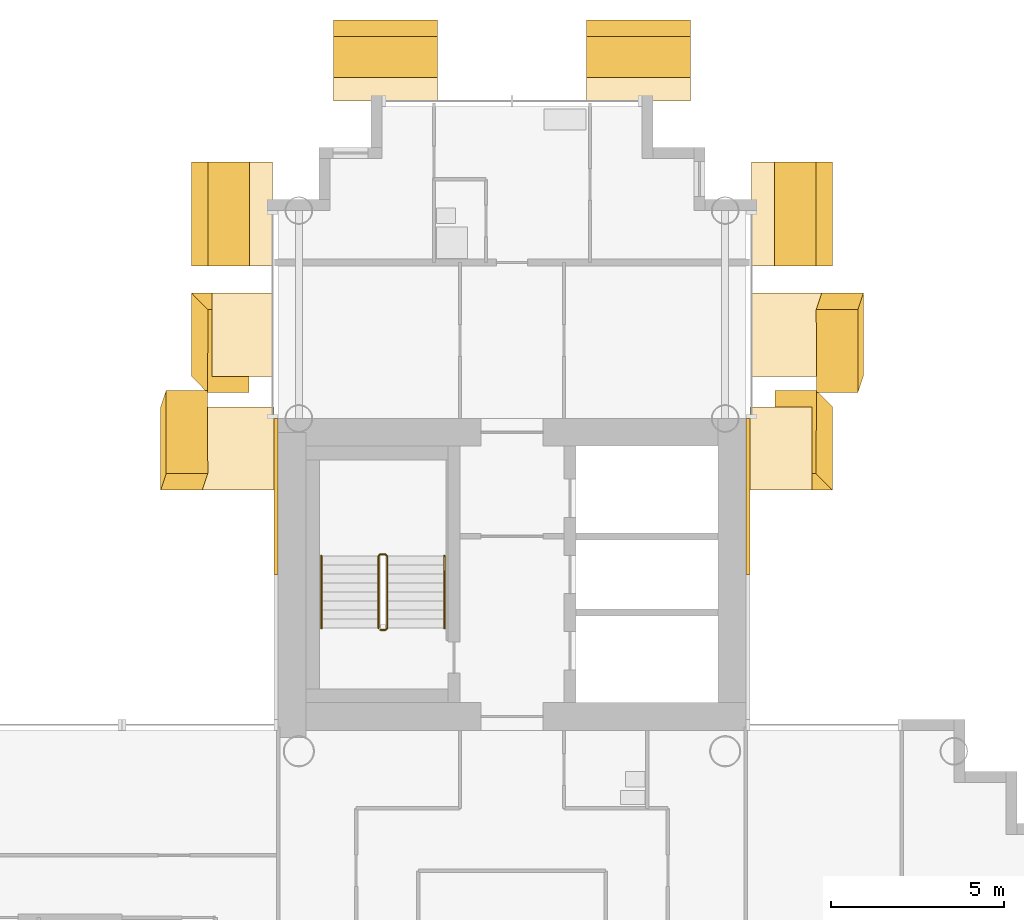
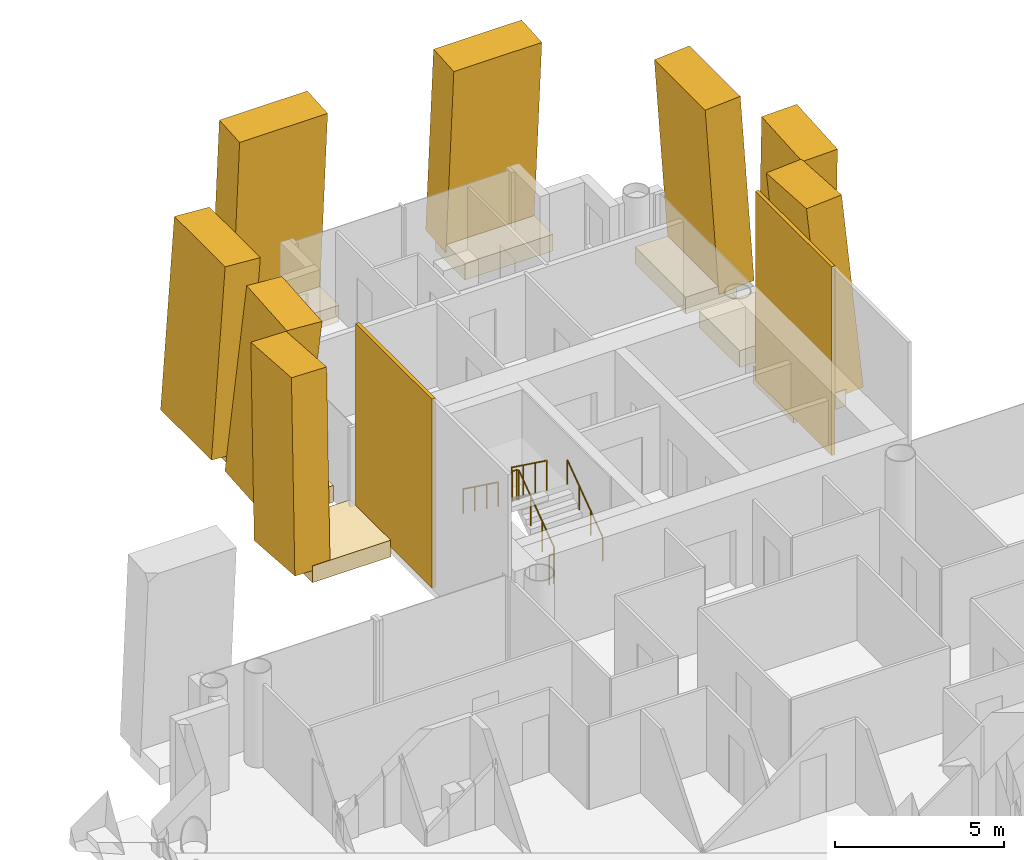
# One storey, part 18 of 19: 18 coverings, 3 railings.
"""IFC4 building model written with IfcOpenShell, lengths in metres."""

from ifc_helpers import new_model, si_unit, direction, frame, origin, origin_2d, place, context, subcontext, project, spatial, rectangle, circle, extrude, material, layer, layer_set, material_profile, profile_set, type_object, element, save


model = new_model("IFC4")

# Units and contexts
model_context = context("Model", 3, precision=1e-05, world=origin(), true_north=direction((0.0, 1.0)))
body_context = subcontext(model_context, "Body", "Model", "MODEL_VIEW")
ifc_project = project(units=[si_unit("LENGTHUNIT", "METRE"), si_unit("AREAUNIT", "SQUARE_METRE"), si_unit("VOLUMEUNIT", "CUBIC_METRE"), si_unit("PLANEANGLEUNIT", "RADIAN"), si_unit("MASSUNIT", "GRAM", prefix="KILO")], contexts=[model_context])

# Site, building, storey
site_placement = place(None, origin())
site = spatial("IfcSite", under=ifc_project, at=site_placement, CompositionType="ELEMENT")
building_placement = place(site_placement, origin())
building = spatial("IfcBuilding", under=site, at=building_placement, Name="Ipe Terrace Towers", CompositionType="ELEMENT")
storey_placement = place(building_placement, frame((0.0, 0.0, 137.10009765625)))
storey = spatial("IfcBuildingStorey", under=building, at=storey_placement, Name="L37", CompositionType="ELEMENT", Elevation=137.10009765625)

# Coverings
ifc_material_1 = material(Name="Concrete C50/60 precast, buff finish", Category="concrete")
ifc_layer = layer(ifc_material_1, 0.1201171875)
ifc_layer_set = layer_set([ifc_layer], Name="STONE CORE CLADDING 120")
covering_type_1 = type_object("IfcCoveringType", Name="STONE CORE CLADDING 120", PredefinedType="CLADDING", material=ifc_layer_set)
for number, where, z_axis, x_axis, name in (
    (1, (29.18994140625, 13.5, 0.0), (0.0, 0.0, 1.0), (0.0, -1.0, 0.0), "stone core cladding"),
    (2, (42.81005859375, 13.5, 0.0), (0.0, 0.0, 1.0), (0.0, 1.0, 0.0), "stone core cladding"),
):
    element("IfcCovering", number, at=place(storey_placement, frame(where, z_axis=z_axis, x_axis=x_axis)), inside=storey, type_object=covering_type_1, Name=name, PredefinedType="CLADDING", context=body_context, shape_type="SweptSolid", body=[
        extrude(rectangle(XDim=4.5009765625, YDim=0.1201171875, at=origin_2d()), origin(), (0.0, 0.0, 1.0), 6.800048828125),
    ])
ifc_material_2 = material(Name="Concrete C50/60 precast, buff finish", Category="concrete")
ifc_material_profile_1 = material_profile(ifc_material_2, rectangle(XDim=2.39990234375, YDim=1.199951171875, at=origin_2d()), Name="STONE FIN 2400 x 1200")
ifc_profile_set_1 = profile_set([ifc_material_profile_1], Name="Concrete C50/60 precast, buff finish")
covering_type_2 = type_object("IfcCoveringType", Name="STONE FIN 2400 x 1200", PredefinedType="USERDEFINED", material=ifc_profile_set_1)
covering_1_placement = place(storey_placement, frame((26.462890625, 14.882080078125, 0.0), z_axis=(0.023203061469, 0.069644991599, 0.997301956823), x_axis=(0.001619910419, -0.997571839591, 0.069626149865)))
element("IfcCovering", 3, at=covering_1_placement, inside=storey, type_object=covering_type_2, Name="stone fin", ObjectType="FIN", PredefinedType="USERDEFINED", context=body_context, shape_type="SweptSolid", body=[
    extrude(rectangle(XDim=2.39990234375, YDim=1.199951171875, at=origin_2d()), origin(), (0.0, 0.0, 1.0), 6.818115234375),
])
for number, where, z_axis, x_axis, name in (
    (4, (27.35205078125, 18.16796875, 0.0), (0.068641859114, -0.069499435698, 0.995217626258), (-0.004782133715, -0.997581990835, -0.0693347154), "stone fin"),
    (5, (44.64794921875, 14.882080078125, 0.0), (-0.068641859114, 0.069499435698, 0.995217626258), (0.004782133715, 0.997581990835, -0.0693347154), "stone fin"),
):
    element("IfcCovering", number, at=place(storey_placement, frame(where, z_axis=z_axis, x_axis=x_axis)), inside=storey, type_object=covering_type_2, Name=name, ObjectType="FIN", PredefinedType="USERDEFINED", context=body_context, shape_type="SweptSolid", body=[
        extrude(rectangle(XDim=2.39990234375, YDim=1.199951171875, at=origin_2d()), origin(), (0.0, 0.0, 1.0), 6.83251953125),
    ])
covering_2_placement = place(storey_placement, frame((45.537109375, 18.16796875, 0.0), z_axis=(-0.023203061469, -0.069644991599, 0.997301956823), x_axis=(-0.001619910419, 0.997571839591, 0.069626149865)))
element("IfcCovering", 6, at=covering_2_placement, inside=storey, type_object=covering_type_2, Name="stone fin", ObjectType="FIN", PredefinedType="USERDEFINED", context=body_context, shape_type="SweptSolid", body=[
    extrude(rectangle(XDim=2.39990234375, YDim=1.199951171875, at=origin_2d()), origin(), (0.0, 0.0, 1.0), 6.818115234375),
])
ifc_material_3 = material(Name="Concrete C50/60 precast, buff finish", Category="concrete")
ifc_material_profile_2 = material_profile(ifc_material_3, rectangle(XDim=3.0, YDim=1.199951171875, at=origin_2d()), Name="STONE FIN CORNER 3000 x 1200")
ifc_profile_set_2 = profile_set([ifc_material_profile_2], Name="Concrete C50/60 precast, buff finish")
covering_type_3 = type_object("IfcCoveringType", Name="STONE FIN CORNER 3000 x 1200", PredefinedType="USERDEFINED", material=ifc_profile_set_2)
for number, where, z_axis, x_axis, name in (
    (7, (27.35205078125, 21.64990234375, 0.0), (0.068808238064, 0.0, 0.997629904511), (0.0, -1.0, 0.0), "stone fin"),
    (8, (32.35009765625, 26.64794921875, 0.0), (0.0, -0.068808238064, 0.997629904511), (-1.0, 0.0, 0.0), "stone fin"),
    (9, (39.64990234375, 26.64794921875, 0.0), (0.0, -0.068808238064, 0.997629904511), (-1.0, 0.0, 0.0), "stone fin"),
    (10, (44.64794921875, 21.64990234375, 0.0), (-0.068808238064, 0.0, 0.997629904511), (0.0, 1.0, 0.0), "stone fin"),
):
    element("IfcCovering", number, at=place(storey_placement, frame(where, z_axis=z_axis, x_axis=x_axis)), inside=storey, type_object=covering_type_3, Name=name, ObjectType="FIN", PredefinedType="USERDEFINED", context=body_context, shape_type="SweptSolid", body=[
        extrude(rectangle(XDim=3.0, YDim=1.199951171875, at=origin_2d()), origin(), (0.0, 0.0, 1.0), 6.81591796875),
    ])
ifc_material_4 = material(Name="Concrete C50/60 precast, buff finish", Category="concrete")
covering_type_4 = type_object("IfcCoveringType", Name="STONE FIN SHELF 2400 x 600", PredefinedType="CLADDING", material=ifc_material_4)
covering_3_placement = place(storey_placement, frame((27.802001953125, 14.882080078125, -0.35009765625), z_axis=(0.0, 0.0, 1.0), x_axis=(0.0, -1.0, 0.0)))
element("IfcCovering", 11, at=covering_3_placement, inside=storey, type_object=covering_type_4, Name="stone fin shelf", PredefinedType="CLADDING", context=body_context, shape_type="SweptSolid", body=[
    extrude(rectangle(XDim=2.39990234375, YDim=2.677001953125, at=origin_2d()), origin(), (0.0, 0.0, 1.0), 0.60009765625),
])
covering_4_placement = place(storey_placement, frame((28.218017578125, 18.16796875, -0.35009765625), z_axis=(0.0, 0.0, 1.0), x_axis=(0.0, -1.0, 0.0)))
element("IfcCovering", 12, at=covering_4_placement, inside=storey, type_object=covering_type_4, Name="stone fin shelf", PredefinedType="CLADDING", context=body_context, shape_type="SweptSolid", body=[
    extrude(rectangle(XDim=2.39990234375, YDim=1.73193359375, at=origin_2d()), origin(), (0.0, 0.0, 1.0), 0.60009765625),
])
covering_5_placement = place(storey_placement, frame((43.75390625, 14.882080078125, -0.35009765625), z_axis=(0.0, 0.0, 1.0), x_axis=(0.0, 1.0, 0.0)))
element("IfcCovering", 13, at=covering_5_placement, inside=storey, type_object=covering_type_4, Name="stone fin shelf", PredefinedType="CLADDING", context=body_context, shape_type="SweptSolid", body=[
    extrude(rectangle(XDim=2.39990234375, YDim=1.7880859375, at=origin_2d()), origin(), (0.0, 0.0, 1.0), 0.60009765625),
])
covering_6_placement = place(storey_placement, frame((44.22705078125, 18.16796875, -0.35009765625), z_axis=(0.0, 0.0, 1.0), x_axis=(0.0, 1.0, 0.0)))
element("IfcCovering", 14, at=covering_6_placement, inside=storey, type_object=covering_type_4, Name="stone fin shelf", PredefinedType="CLADDING", context=body_context, shape_type="SweptSolid", body=[
    extrude(rectangle(XDim=2.39990234375, YDim=2.62109375, at=origin_2d()), origin(), (0.0, 0.0, 1.0), 0.60009765625),
])
ifc_material_5 = material(Name="Concrete C50/60 precast, buff finish", Category="concrete")
covering_type_5 = type_object("IfcCoveringType", Name="STONE FIN SHELF 3000 x 600", PredefinedType="CLADDING", material=ifc_material_5)
for number, where, z_axis, x_axis, name in (
    (15, (28.218017578125, 21.64990234375, -0.35009765625), (0.0, 0.0, 1.0), (0.0, -1.0, 0.0), "stone fin shelf"),
    (16, (32.35009765625, 25.781982421875, -0.35009765625), (0.0, 0.0, 1.0), (-1.0, 0.0, 0.0), "stone fin shelf"),
    (17, (39.64990234375, 25.781982421875, -0.35009765625), (0.0, 0.0, 1.0), (-1.0, 0.0, 0.0), "stone fin shelf"),
    (18, (43.781982421875, 21.64990234375, -0.35009765625), (0.0, 0.0, 1.0), (0.0, 1.0, 0.0), "stone fin shelf"),
):
    element("IfcCovering", number, at=place(storey_placement, frame(where, z_axis=z_axis, x_axis=x_axis)), inside=storey, type_object=covering_type_5, Name=name, PredefinedType="CLADDING", context=body_context, shape_type="SweptSolid", body=[
        extrude(rectangle(XDim=3.0, YDim=1.73193359375, at=origin_2d()), origin(), (0.0, 0.0, 1.0), 0.60009765625),
    ])

# Railings
ifc_material_6 = material(Name="Steel S355", Category="steel")
railing_type_1 = type_object("IfcRailingType", Name="Stair guard 1100", PredefinedType="GUARDRAIL", material=ifc_material_6)
railing_1_placement = place(storey_placement, frame((32.199951171875, 9.64990234375, 0.0)))
element("IfcRailing", 19, at=railing_1_placement, inside=storey, type_object=railing_type_1, Name="L37 T2-ST1 stair guard 1", PredefinedType="GUARDRAIL", context=body_context, shape_type="SweptSolid", body=[
    extrude(circle(Radius=0.02392578125, at=origin_2d()), frame((0.0, 0.0, 1.076171875), z_axis=(1.0, 0.0, 0.0), x_axis=(0.0, 1.0, 0.0)), (0.0, 0.0, 1.0), 0.150146484375),
    extrude(circle(Radius=0.02392578125, at=origin_2d()), frame((0.150146484375, 0.0, 1.076171875), z_axis=(0.247173786771, 0.248385422981, 0.936594790069), x_axis=(-0.708833529934, 0.705375805398, 0.0)), (0.0, 0.0, 1.0), 0.201416015625),
    extrude(circle(Radius=0.02392578125, at=origin_2d()), frame((0.199951171875, 0.050048828125, 1.2646484375), z_axis=(0.0, 0.809023421508, 0.587776406001), x_axis=(-1.0, 0.0, 0.0)), (0.0, 0.0, 1.0), 2.571044921875),
    extrude(circle(Radius=0.02392578125, at=origin_2d()), frame((0.199951171875, 2.130126953125, 2.77587890625), z_axis=(-0.705375805398, 0.708833529934, 0.0), x_axis=(-0.708833529934, -0.705375805398, 0.0)), (0.0, 0.0, 1.0), 0.070556640625),
    extrude(circle(Radius=0.02392578125, at=origin_2d()), frame((0.150146484375, 2.18017578125, 2.77587890625), z_axis=(-1.0, 0.0, 0.0), x_axis=(0.0, -1.0, 0.0)), (0.0, 0.0, 1.0), 0.150146484375),
    extrude(circle(Radius=0.02392578125, at=origin_2d()), frame((0.0, 2.18017578125, 2.77587890625), z_axis=(-0.248310886586, -0.248310886586, 0.936313733321), x_axis=(0.707106781187, -0.707106781187, 0.0)), (0.0, 0.0, 1.0), 0.20166015625),
    extrude(circle(Radius=0.02392578125, at=origin_2d()), frame((-0.050048828125, 2.130126953125, 2.96484375), z_axis=(0.0, -0.809023421508, 0.587776406001), x_axis=(1.0, 0.0, 0.0)), (0.0, 0.0, 1.0), 2.571044921875),
    extrude(circle(Radius=0.02099609375, at=origin_2d()), origin(), (0.0, 0.0, 1.0), 1.052001953125),
    extrude(circle(Radius=0.02099609375, at=origin_2d()), frame((0.150146484375, 0.0, 0.0)), (0.0, 0.0, 1.0), 1.052001953125),
    extrude(circle(Radius=0.02099609375, at=origin_2d()), frame((0.199951171875, 0.050048828125, 0.188720703125)), (0.0, 0.0, 1.0), 1.052001953125),
    extrude(circle(Radius=0.02099609375, at=origin_2d()), frame((0.199951171875, 0.743408203125, 0.6923828125)), (0.0, 0.0, 1.0), 1.052001953125),
    extrude(circle(Radius=0.02099609375, at=origin_2d()), frame((0.199951171875, 1.436767578125, 1.1962890625)), (0.0, 0.0, 1.0), 1.052001953125),
    extrude(circle(Radius=0.02099609375, at=origin_2d()), frame((0.199951171875, 2.130126953125, 1.699951171875)), (0.0, 0.0, 1.0), 1.052001953125),
    extrude(circle(Radius=0.02099609375, at=origin_2d()), frame((0.150146484375, 2.18017578125, 1.699951171875)), (0.0, 0.0, 1.0), 1.052001953125),
    extrude(circle(Radius=0.02099609375, at=origin_2d()), frame((0.0, 2.18017578125, 1.699951171875)), (0.0, 0.0, 1.0), 1.052001953125),
    extrude(circle(Radius=0.02099609375, at=origin_2d()), frame((-0.050048828125, 2.130126953125, 1.888671875)), (0.0, 0.0, 1.0), 1.052001953125),
    extrude(circle(Radius=0.02099609375, at=origin_2d()), frame((-0.050048828125, 1.436767578125, 2.392333984375)), (0.0, 0.0, 1.0), 1.052001953125),
    extrude(circle(Radius=0.02099609375, at=origin_2d()), frame((-0.050048828125, 0.743408203125, 2.896240234375)), (0.0, 0.0, 1.0), 1.052001953125),
    extrude(circle(Radius=0.02099609375, at=origin_2d()), frame((-0.050048828125, 0.050048828125, 3.39990234375)), (0.0, 0.0, 1.0), 1.052001953125),
])
ifc_material_7 = material(Name="Stainless steel grade 304", Category="steel")
railing_type_2 = type_object("IfcRailingType", Name="Stair handrail 900", PredefinedType="HANDRAIL", material=ifc_material_7)
railing_2_placement = place(storey_placement, frame((34.050048828125, 9.699951171875, 0.188720703125)))
element("IfcRailing", 20, at=railing_2_placement, inside=storey, type_object=railing_type_2, Name="L37 T2-ST1 stair handrail 1", PredefinedType="HANDRAIL", context=body_context, shape_type="SweptSolid", body=[
    extrude(circle(Radius=0.02392578125, at=origin_2d()), frame((0.0, 0.0, 0.8759765625), z_axis=(0.0, 0.809023421508, 0.587776406001), x_axis=(-1.0, 0.0, 0.0)), (0.0, 0.0, 1.0), 2.571044921875),
    extrude(circle(Radius=0.02099609375, at=origin_2d()), origin(), (0.0, 0.0, 1.0), 0.851806640625),
    extrude(circle(Radius=0.02099609375, at=origin_2d()), frame((0.0, 0.693359375, 0.503662109375)), (0.0, 0.0, 1.0), 0.851806640625),
    extrude(circle(Radius=0.02099609375, at=origin_2d()), frame((0.0, 1.38671875, 1.007568359375)), (0.0, 0.0, 1.0), 0.851806640625),
    extrude(circle(Radius=0.02099609375, at=origin_2d()), frame((0.0, 2.080078125, 1.51123046875)), (0.0, 0.0, 1.0), 0.851806640625),
])
railing_3_placement = place(storey_placement, frame((30.5, 11.780029296875, 1.888671875)))
element("IfcRailing", 21, at=railing_3_placement, inside=storey, type_object=railing_type_2, Name="L37 T2-ST1 stair handrail 2", PredefinedType="HANDRAIL", context=body_context, shape_type="SweptSolid", body=[
    extrude(circle(Radius=0.02392578125, at=origin_2d()), frame((0.0, 0.0, 0.8759765625), z_axis=(0.0, -0.809023421508, 0.587776406001), x_axis=(1.0, 0.0, 0.0)), (0.0, 0.0, 1.0), 2.571044921875),
    extrude(circle(Radius=0.02099609375, at=origin_2d()), origin(), (0.0, 0.0, 1.0), 0.851806640625),
    extrude(circle(Radius=0.02099609375, at=origin_2d()), frame((0.0, -0.693359375, 0.503662109375)), (0.0, 0.0, 1.0), 0.851806640625),
    extrude(circle(Radius=0.02099609375, at=origin_2d()), frame((0.0, -1.38671875, 1.007568359375)), (0.0, 0.0, 1.0), 0.851806640625),
    extrude(circle(Radius=0.02099609375, at=origin_2d()), frame((0.0, -2.080078125, 1.51123046875)), (0.0, 0.0, 1.0), 0.851806640625),
])

save(model, "model.ifc")
